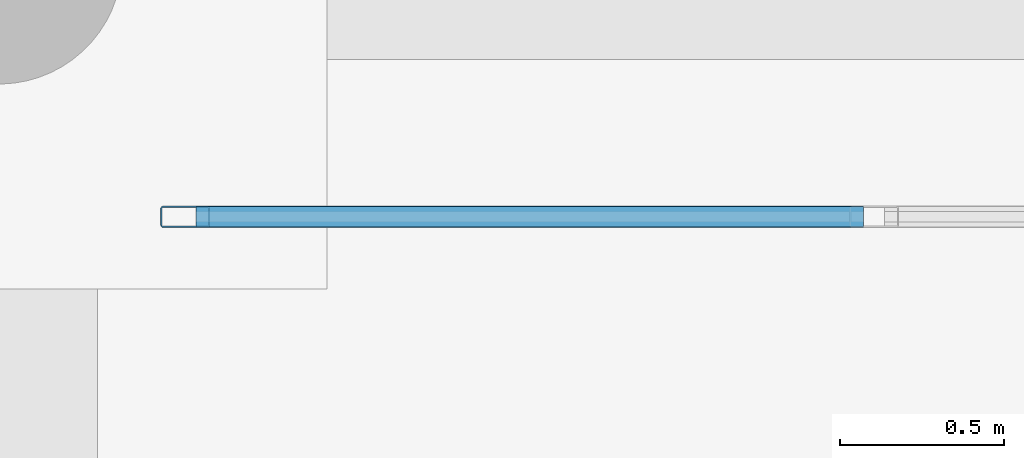
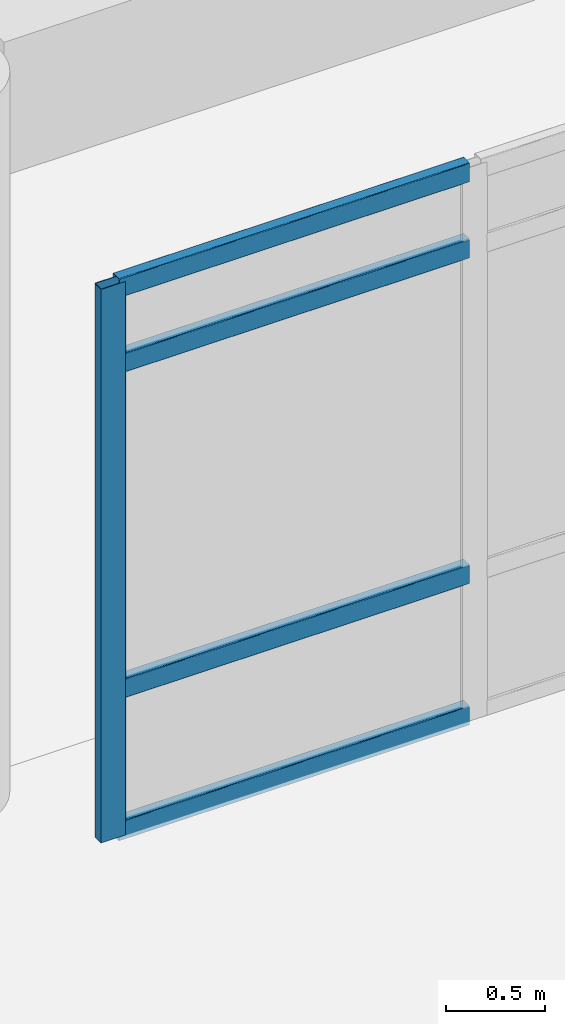
# One storey, part 84 of 196: 5 members, 1 element without a shape of its own.
"""IFC4 building model written with IfcOpenShell, lengths in metres."""

from ifc_helpers import new_model, si_unit, direction, frame, origin, origin_2d, place, context, subcontext, project, spatial, hollow_rectangle, extrude, material, layer, layer_set, material_profile, profile_set, type_object, element, aggregate, save


model = new_model("IFC4")

# Units and contexts
model_context = context("Model", 3, precision=1e-05, world=origin(), true_north=direction((0.0, 1.0)))
body_context = subcontext(model_context, "Body", "Model", "MODEL_VIEW")
ifc_project = project(units=[si_unit("LENGTHUNIT", "METRE"), si_unit("AREAUNIT", "SQUARE_METRE"), si_unit("VOLUMEUNIT", "CUBIC_METRE"), si_unit("PLANEANGLEUNIT", "RADIAN"), si_unit("MASSUNIT", "GRAM", prefix="KILO")], contexts=[model_context])

# Site, building, storey
site_placement = place(None, origin())
site = spatial("IfcSite", under=ifc_project, at=site_placement, CompositionType="ELEMENT")
building_placement = place(site_placement, origin())
building = spatial("IfcBuilding", under=site, at=building_placement, Name="Asteropetra Specialist Clinic", CompositionType="ELEMENT")
storey_placement = place(building_placement, origin())
storey = spatial("IfcBuildingStorey", under=building, at=storey_placement, Name="L00", CompositionType="ELEMENT", Elevation=0.0)

# Curtain wall, members
ifc_material_1 = material(Name="Aluminium and low-E glass", Category="aluminium")
ifc_layer = layer(ifc_material_1, 0.135009765625)
ifc_layer_set = layer_set([ifc_layer], Name="Aluminium and low-E glass")
curtain_wall_type = type_object("IfcCurtainWallType", Name="CW-SYS-09", PredefinedType="USERDEFINED", material=ifc_layer_set)
curtain_wall_placement = place(storey_placement, origin())
curtain_wall = element("IfcCurtainWall", 1, at=curtain_wall_placement, inside=storey, type_object=curtain_wall_type, Name="Curtain Wall CW-193", ObjectType="STICK GLAZED COLONNADE", PredefinedType="USERDEFINED")
ifc_material_2 = material(Name="Aluminium 6063-T6", Category="aluminium")
ifc_material_profile_1 = material_profile(ifc_material_2, hollow_rectangle(XDim=0.06494140625, YDim=0.14990234375, WallThickness=0.00390625, InnerFilletRadius=0.00390625, OuterFilletRadius=0.008056640625, at=origin_2d()), Name="MUL 150x65x4.0")
ifc_profile_set_1 = profile_set([ifc_material_profile_1], Name="Aluminium 6063-T6")
member_type_1 = type_object("IfcMemberType", Name="CWM-150x65", PredefinedType="MULLION", material=ifc_profile_set_1)
member_1_placement = place(storey_placement, frame((125.367431640625, 61.6201171875, 0.0), z_axis=(0.0, 0.0, 1.0), x_axis=(0.0, -1.0, 0.0)))
member_1 = element("IfcMember", 2, at=member_1_placement, type_object=member_type_1, Name="CW-193 mullion 5", PredefinedType="MULLION", context=body_context, shape_type="SweptSolid", body=[
    extrude(hollow_rectangle(XDim=0.06494140625, YDim=0.14990234375, WallThickness=0.00390625, InnerFilletRadius=0.00390625, OuterFilletRadius=0.008056640625, at=origin_2d()), origin(), (0.0, 0.0, 1.0), 3.39990234375),
])
ifc_material_3 = material(Name="Aluminium 6063-T6", Category="aluminium")
ifc_material_profile_2 = material_profile(ifc_material_3, hollow_rectangle(XDim=0.06494140625, YDim=0.1201171875, WallThickness=0.00390625, InnerFilletRadius=0.00390625, OuterFilletRadius=0.008056640625, at=origin_2d()), Name="TRN 120x65x4.0")
ifc_profile_set_2 = profile_set([ifc_material_profile_2], Name="Aluminium 6063-T6")
member_type_2 = type_object("IfcMemberType", Name="CWT-120x65", PredefinedType="USERDEFINED", material=ifc_profile_set_2)
member_2_placement = place(storey_placement, frame((127.43505859375, 61.6201171875, 0.032470703125), z_axis=(-1.0, 0.0, 0.0), x_axis=(0.0, -1.0, 0.0)))
member_2 = element("IfcMember", 3, at=member_2_placement, type_object=member_type_2, Name="CW-193 transom 4.1", ObjectType="TRANSOM", PredefinedType="USERDEFINED", context=body_context, shape_type="SweptSolid", body=[
    extrude(hollow_rectangle(XDim=0.06494140625, YDim=0.1201171875, WallThickness=0.00390625, InnerFilletRadius=0.00390625, OuterFilletRadius=0.008056640625, at=origin_2d()), origin(), (0.0, 0.0, 1.0), 2.03515625),
])
member_3_placement = place(storey_placement, frame((127.43505859375, 61.6201171875, 0.89990234375), z_axis=(-1.0, 0.0, 0.0), x_axis=(0.0, -1.0, 0.0)))
member_3 = element("IfcMember", 4, at=member_3_placement, type_object=member_type_2, Name="CW-193 transom 4.2", ObjectType="TRANSOM", PredefinedType="USERDEFINED", context=body_context, shape_type="SweptSolid", body=[
    extrude(hollow_rectangle(XDim=0.06494140625, YDim=0.1201171875, WallThickness=0.00390625, InnerFilletRadius=0.00390625, OuterFilletRadius=0.008056640625, at=origin_2d()), origin(), (0.0, 0.0, 1.0), 2.03515625),
])
member_4_placement = place(storey_placement, frame((127.43505859375, 61.6201171875, 2.89990234375), z_axis=(-1.0, 0.0, 0.0), x_axis=(0.0, -1.0, 0.0)))
member_4 = element("IfcMember", 5, at=member_4_placement, type_object=member_type_2, Name="CW-193 transom 4.3", ObjectType="TRANSOM", PredefinedType="USERDEFINED", context=body_context, shape_type="SweptSolid", body=[
    extrude(hollow_rectangle(XDim=0.06494140625, YDim=0.1201171875, WallThickness=0.00390625, InnerFilletRadius=0.00390625, OuterFilletRadius=0.008056640625, at=origin_2d()), origin(), (0.0, 0.0, 1.0), 2.03515625),
])
member_5_placement = place(storey_placement, frame((127.43505859375, 61.6201171875, 3.367431640625), z_axis=(-1.0, 0.0, 0.0), x_axis=(0.0, -1.0, 0.0)))
member_5 = element("IfcMember", 6, at=member_5_placement, type_object=member_type_2, Name="CW-193 transom 4.4", ObjectType="TRANSOM", PredefinedType="USERDEFINED", context=body_context, shape_type="SweptSolid", body=[
    extrude(hollow_rectangle(XDim=0.06494140625, YDim=0.1201171875, WallThickness=0.00390625, InnerFilletRadius=0.00390625, OuterFilletRadius=0.008056640625, at=origin_2d()), origin(), (0.0, 0.0, 1.0), 2.03515625),
])
aggregate(curtain_wall, [member_1, member_2, member_3, member_4, member_5])

save(model, "model.ifc")
